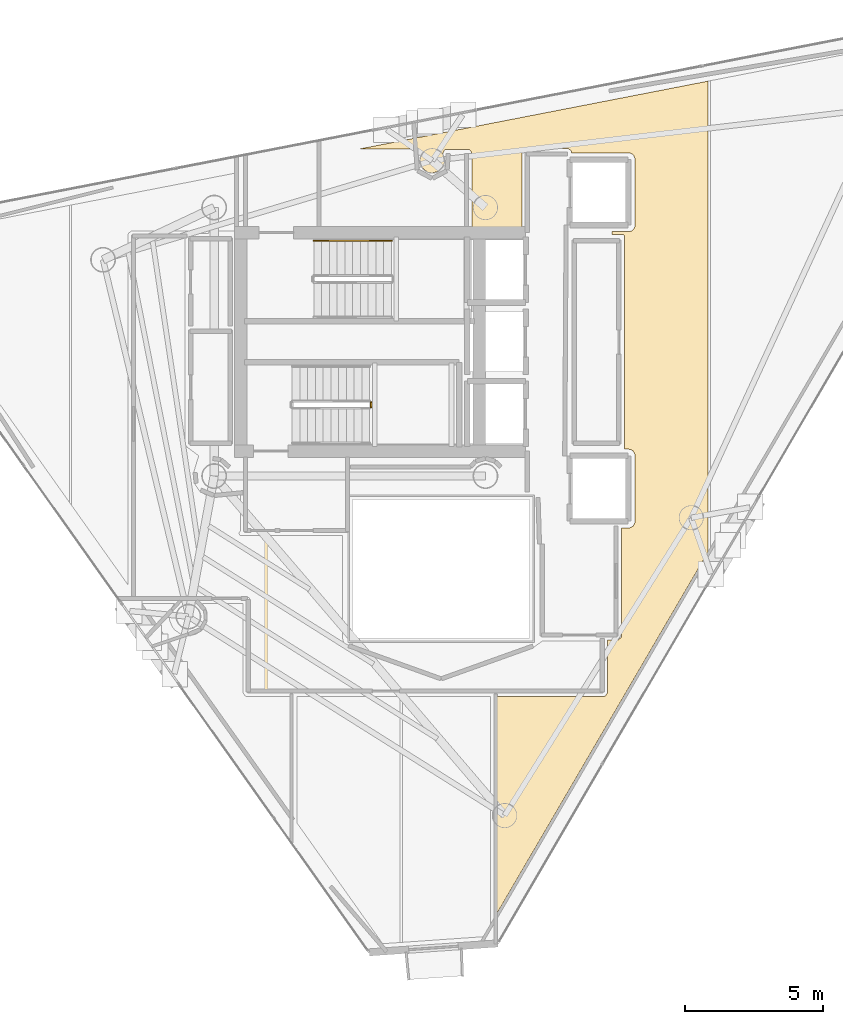
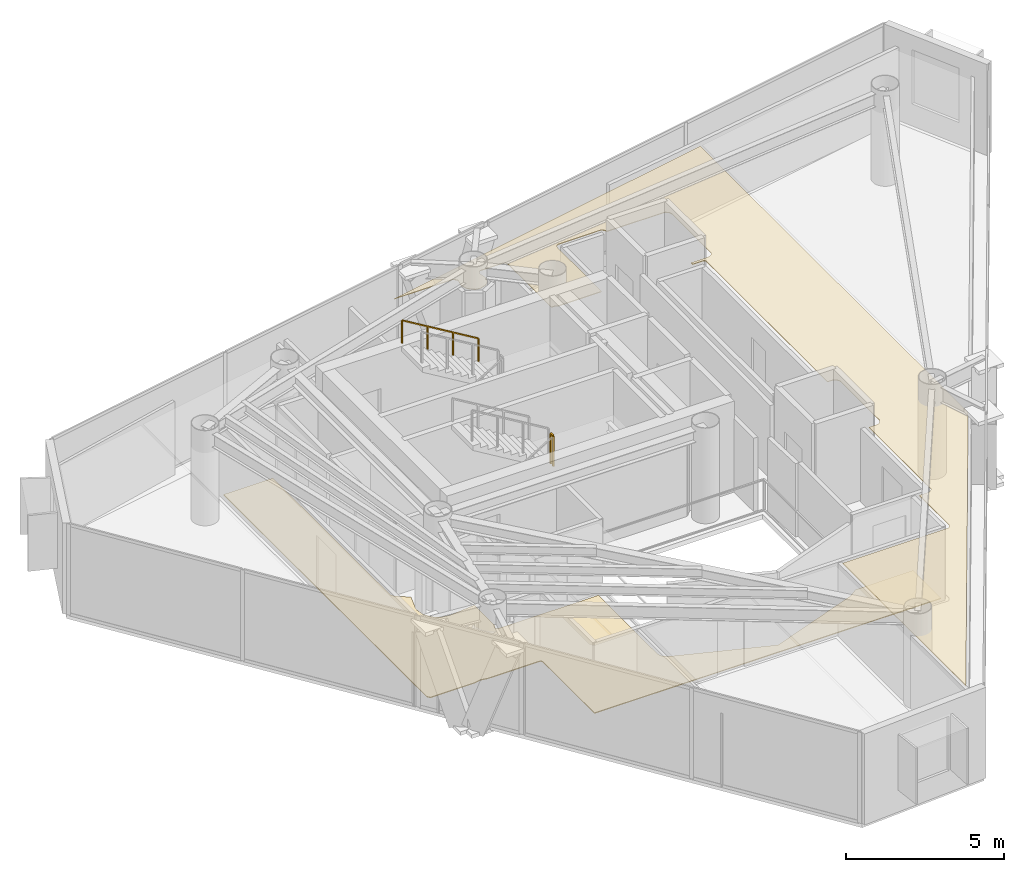
# One storey, part 21 of 22: 2 coverings, 2 railings.
"""IFC4 building model written with IfcOpenShell, lengths in metres."""

from ifc_helpers import new_model, si_unit, direction, frame, origin, origin_2d, place, context, subcontext, project, spatial, polyline, rectangle, outline, extrude, material, layer, layer_set, type_object, element, save


model = new_model("IFC4")

# Units and contexts
model_context = context("Model", 3, precision=1e-05, world=origin(), true_north=direction((0.0, 1.0)))
body_context = subcontext(model_context, "Body", "Model", "MODEL_VIEW")
ifc_project = project(units=[si_unit("LENGTHUNIT", "METRE"), si_unit("AREAUNIT", "SQUARE_METRE"), si_unit("VOLUMEUNIT", "CUBIC_METRE"), si_unit("PLANEANGLEUNIT", "RADIAN"), si_unit("MASSUNIT", "GRAM", prefix="KILO")], contexts=[model_context])

# Site, building, storey
site_placement = place(None, origin())
site = spatial("IfcSite", under=ifc_project, at=site_placement, CompositionType="ELEMENT")
building_placement = place(site_placement, origin())
building = spatial("IfcBuilding", under=site, at=building_placement, Name="Qianvela Tower", CompositionType="ELEMENT")
storey_placement = place(building_placement, frame((0.0, 0.0, 299.10009765625)))
storey = spatial("IfcBuildingStorey", under=building, at=storey_placement, Name="L77", CompositionType="ELEMENT", Elevation=299.10009765625)

# Coverings
ifc_material_1 = material(Name="Perforated Mineral Acoustic Ceiling Tile")
ifc_layer_1 = layer(ifc_material_1, 0.02490234375)
ifc_layer_set_1 = layer_set([ifc_layer_1], Name="Perforated Mineral Acoustic Ceiling Tile")
covering_type_1 = type_object("IfcCoveringType", Name="COV-CEIL-ACOUSTIC-25", PredefinedType="CEILING", material=ifc_layer_set_1)
covering_1_placement = place(storey_placement, frame((0.0, 0.0, 2.81494140625)))
element("IfcCovering", 1, at=covering_1_placement, inside=storey, type_object=covering_type_1, Name="L77 Acoustic Ceiling Bay 1 Project Huddle Conference L77-02", PredefinedType="CEILING", context=body_context, shape_type="SweptSolid", body=[
    extrude(outline(polyline([(43.59375, 32.6806640625), (43.6015625, 32.68115234375), (43.609375, 32.68212890625), (43.616943359375, 32.68408203125), (43.624267578125, 32.686767578125), (43.699462890625, 32.718017578125), (43.70703125, 32.721435546875), (43.71435546875, 32.72607421875), (43.72119140625, 32.731201171875), (43.727294921875, 32.737060546875), (43.732666015625, 32.74365234375), (43.7373046875, 32.750732421875), (43.785888671875, 32.83154296875), (43.7900390625, 32.839111328125), (43.793212890625, 32.84716796875), (43.79541015625, 32.85546875), (43.796875, 32.864013671875), (43.79736328125, 32.87255859375), (43.800048828125, 35.2998046875), (43.7998046875, 35.306884765625), (43.798828125, 35.313720703125), (43.79736328125, 35.3203125), (43.79541015625, 35.326904296875), (43.763427734375, 35.415771484375), (43.7607421875, 35.422607421875), (43.75732421875, 35.428955078125), (43.75341796875, 35.43505859375), (43.7490234375, 35.44091796875), (43.743896484375, 35.4462890625), (43.738525390625, 35.450927734375), (43.732666015625, 35.455322265625), (43.6650390625, 35.50048828125), (43.658447265625, 35.50439453125), (43.6513671875, 35.5078125), (43.64404296875, 35.510498046875), (43.636474609375, 35.512451171875), (43.628662109375, 35.513671875), (43.620849609375, 35.513916015625), (41.515625, 35.519775390625), (41.513916015625, 35.554931640625), (41.512939453125, 35.562744140625), (41.511474609375, 35.5703125), (41.509033203125, 35.577880859375), (41.506103515625, 35.585205078125), (41.50244140625, 35.591796875), (41.498046875, 35.598388671875), (41.4931640625, 35.6044921875), (41.487548828125, 35.60986328125), (41.481689453125, 35.614990234375), (41.41552734375, 35.663818359375), (41.409423828125, 35.66796875), (41.40283203125, 35.67138671875), (41.396240234375, 35.67431640625), (41.38916015625, 35.6767578125), (41.382080078125, 35.67822265625), (41.374755859375, 35.67919921875), (41.367431640625, 35.6796875), (39.841796875, 35.670654296875), (39.83349609375, 35.670166015625), (39.825439453125, 35.668701171875), (39.817626953125, 35.666748046875), (39.81005859375, 35.663818359375), (39.802490234375, 35.659912109375), (39.795654296875, 35.655517578125), (39.789306640625, 35.650390625), (39.783447265625, 35.644775390625), (39.7783203125, 35.638427734375), (39.773681640625, 35.631591796875), (39.7314453125, 35.56103515625), (39.727294921875, 35.553466796875), (39.72412109375, 35.54541015625), (39.721923828125, 35.537109375), (39.720458984375, 35.528564453125), (39.719970703125, 35.52001953125), (39.719970703125, 32.719970703125), (38.129150390625, 32.719970703125), (38.068115234375, 32.756103515625), (38.060791015625, 32.760009765625), (38.052978515625, 32.76318359375), (38.044921875, 32.765380859375), (38.03662109375, 32.766845703125), (38.0283203125, 32.767333984375), (37.907470703125, 32.768798828125), (37.909912109375, 35.5), (37.90966796875, 35.507080078125), (37.90869140625, 35.514404296875), (37.906982421875, 35.521240234375), (37.90478515625, 35.5283203125), (37.902099609375, 35.534912109375), (37.898681640625, 35.541015625), (37.856201171875, 35.61181640625), (37.852294921875, 35.617919921875), (37.847412109375, 35.623779296875), (37.842041015625, 35.629150390625), (37.83642578125, 35.634033203125), (37.830078125, 35.63818359375), (37.823486328125, 35.64208984375), (37.816650390625, 35.64501953125), (37.8095703125, 35.6474609375), (37.80224609375, 35.649169921875), (37.794921875, 35.650146484375), (37.787353515625, 35.650634765625), (36.9814453125, 35.64599609375), (36.973388671875, 35.6455078125), (36.9658203125, 35.644287109375), (36.9580078125, 35.642333984375), (36.950439453125, 35.6396484375), (36.943359375, 35.63623046875), (36.9365234375, 35.632080078125), (36.930419921875, 35.627197265625), (36.924560546875, 35.621826171875), (36.919189453125, 35.615966796875), (36.91455078125, 35.609375), (36.91064453125, 35.6025390625), (36.875732421875, 35.5341796875), (36.87255859375, 35.527099609375), (36.8701171875, 35.51953125), (36.8681640625, 35.511962890625), (36.8671875, 35.504150390625), (36.866943359375, 35.49609375), (36.86767578125, 35.48828125), (36.868896484375, 35.48046875), (36.92431640625, 35.23291015625), (36.91748046875, 35.163330078125), (36.84765625, 34.99462890625), (36.72705078125, 34.874267578125), (36.4755859375, 34.796142578125), (36.305419921875, 34.830078125), (36.10595703125, 34.995849609375), (36.029296875, 35.241943359375), (36.082275390625, 35.49755859375), (36.08349609375, 35.50537109375), (36.083740234375, 35.51318359375), (36.08349609375, 35.52099609375), (36.08251953125, 35.52880859375), (36.08056640625, 35.536376953125), (36.078125, 35.543701171875), (36.07470703125, 35.55078125), (36.07080078125, 35.5576171875), (36.06640625, 35.563720703125), (36.06103515625, 35.569580078125), (35.998291015625, 35.63427734375), (35.992431640625, 35.6396484375), (35.986083984375, 35.64453125), (35.979248046875, 35.648681640625), (35.971923828125, 35.652099609375), (35.964599609375, 35.65478515625), (35.956787109375, 35.65673828125), (35.948974609375, 35.657958984375), (35.94091796875, 35.658447265625), (33.815185546875, 35.65966796875), (46.444091796875, 38.115966796875), (46.444091796875, 21.117919921875), (38.822021484375, 8.0673828125), (38.822021484375, 15.89013671875), (42.6806640625, 15.89599609375), (42.688720703125, 15.896484375), (42.6962890625, 15.897705078125), (42.703857421875, 15.899658203125), (42.711181640625, 15.902099609375), (42.718505859375, 15.905517578125), (42.72509765625, 15.90966796875), (42.7314453125, 15.914306640625), (42.7373046875, 15.91943359375), (42.742431640625, 15.92529296875), (42.7470703125, 15.931640625), (42.79638671875, 16.005615234375), (42.800537109375, 16.01220703125), (42.803955078125, 16.019287109375), (42.806640625, 16.02685546875), (42.80859375, 16.034423828125), (42.8095703125, 16.042236328125), (42.81005859375, 16.050048828125), (42.8076171875, 17.920166015625), (43.157958984375, 17.92041015625), (43.166259765625, 17.9208984375), (43.174560546875, 17.922119140625), (43.1826171875, 17.92431640625), (43.1904296875, 17.927490234375), (43.197998046875, 17.93115234375), (43.205078125, 17.935791015625), (43.211669921875, 17.941162109375), (43.2822265625, 18.005126953125), (43.2880859375, 18.010986328125), (43.293212890625, 18.017578125), (43.2978515625, 18.0244140625), (43.301513671875, 18.031982421875), (43.3046875, 18.039794921875), (43.306640625, 18.0478515625), (43.30810546875, 18.055908203125), (43.30859375, 18.064453125), (43.309326171875, 21.980712890625), (43.60791015625, 21.982666015625), (43.615478515625, 21.983154296875), (43.623291015625, 21.984375), (43.630859375, 21.986083984375), (43.637939453125, 21.98876953125), (43.64501953125, 21.9921875), (43.716796875, 22.030517578125), (43.723388671875, 22.034423828125), (43.729736328125, 22.039306640625), (43.735595703125, 22.04443359375), (43.74072265625, 22.05029296875), (43.74560546875, 22.056640625), (43.74951171875, 22.063232421875), (43.787841796875, 22.135009765625), (43.791259765625, 22.14208984375), (43.7939453125, 22.1494140625), (43.7958984375, 22.156982421875), (43.796875, 22.164794921875), (43.79736328125, 22.1728515625), (43.7939453125, 24.640625), (43.79345703125, 24.649169921875), (43.792236328125, 24.65771484375), (43.789794921875, 24.665771484375), (43.786865234375, 24.673583984375), (43.782958984375, 24.68115234375), (43.7783203125, 24.688232421875), (43.721923828125, 24.76416015625), (43.71728515625, 24.769775390625), (43.71240234375, 24.77490234375), (43.706787109375, 24.779541015625), (43.70068359375, 24.78369140625), (43.694580078125, 24.78759765625), (43.68798828125, 24.79052734375), (43.680908203125, 24.79296875), (43.603271484375, 24.816650390625), (43.595703125, 24.818603515625), (43.587890625, 24.819580078125), (43.580078125, 24.820068359375), (43.424072265625, 24.820068359375), (43.426513671875, 24.826904296875), (43.428466796875, 24.83447265625), (43.4296875, 24.84228515625), (43.429931640625, 24.85009765625), (43.429931640625, 32.5), (43.4296875, 32.5078125), (43.428466796875, 32.515625), (43.426513671875, 32.523193359375), (43.423828125, 32.530517578125), (43.420654296875, 32.53759765625), (43.41650390625, 32.54443359375), (43.411865234375, 32.55078125), (43.406494140625, 32.556640625), (43.40087890625, 32.561767578125), (43.394287109375, 32.56640625), (43.3876953125, 32.570556640625), (43.380615234375, 32.573974609375), (43.373291015625, 32.57666015625), (43.365478515625, 32.57861328125), (43.35791015625, 32.57958984375), (43.35009765625, 32.580078125), (42.97607421875, 32.580078125), (42.97607421875, 32.68017578125), (43.59375, 32.6806640625)])), origin(), (0.0, 0.0, 1.0), 0.02490234375),
])
ifc_material_2 = material(Name="Honed Stone Terrazzo Flooring", Category="masonry")
ifc_layer_2 = layer(ifc_material_2, 0.030029296875)
ifc_layer_set_2 = layer_set([ifc_layer_2], Name="Honed Stone Terrazzo Flooring")
covering_type_2 = type_object("IfcCoveringType", Name="COV-FLOOR-TERRAZZO-30", PredefinedType="FLOORING", material=ifc_layer_set_2)
covering_2_placement = place(storey_placement, origin())
element("IfcCovering", 2, at=covering_2_placement, inside=storey, type_object=covering_type_2, Name="L77 Finish Flooring L77 Floor Corridor", PredefinedType="FLOORING", context=body_context, shape_type="SweptSolid", body=[
    extrude(outline(polyline([(25.72998046875, 32.469970703125), (27.5400390625, 32.469970703125), (27.5400390625, 25.04638671875), (27.540283203125, 25.038818359375), (27.54150390625, 25.03125), (27.543212890625, 25.023681640625), (27.545654296875, 25.0166015625), (27.548828125, 25.009765625), (27.552734375, 25.003173828125), (27.61328125, 24.90869140625), (27.61767578125, 24.90283203125), (27.622314453125, 24.8974609375), (27.62744140625, 24.892333984375), (27.633056640625, 24.8876953125), (28.042236328125, 24.584228515625), (27.8662109375, 24.00390625), (27.864501953125, 23.996337890625), (27.86328125, 23.988525390625), (27.850341796875, 23.85791015625), (27.85009765625, 23.85009765625), (27.850341796875, 23.84228515625), (27.8515625, 23.83447265625), (27.902587890625, 23.577880859375), (27.904296875, 23.5703125), (27.906982421875, 23.56298828125), (27.910400390625, 23.555908203125), (27.91455078125, 23.54931640625), (28.059814453125, 23.331787109375), (28.064453125, 23.325439453125), (28.069580078125, 23.319580078125), (28.075439453125, 23.314453125), (28.081787109375, 23.309814453125), (28.29931640625, 23.16455078125), (28.305908203125, 23.160400390625), (28.31298828125, 23.156982421875), (28.3203125, 23.154296875), (28.327880859375, 23.152587890625), (28.58447265625, 23.1015625), (28.59228515625, 23.100341796875), (28.60009765625, 23.10009765625), (28.60791015625, 23.100341796875), (29.55810546875, 23.194091796875), (29.55810546875, 21.877685546875), (29.52001953125, 21.82958984375), (29.515380859375, 21.822998046875), (29.51171875, 21.81640625), (29.508544921875, 21.809326171875), (29.506103515625, 21.802001953125), (29.504150390625, 21.794189453125), (29.503173828125, 21.78662109375), (29.5029296875, 21.77880859375), (29.50341796875, 21.77099609375), (29.504638671875, 21.763427734375), (29.506591796875, 21.755859375), (29.50927734375, 21.74853515625), (29.5126953125, 21.74169921875), (29.516845703125, 21.735107421875), (29.521484375, 21.728759765625), (29.52685546875, 21.722900390625), (29.53271484375, 21.7177734375), (29.538818359375, 21.713134765625), (29.54541015625, 21.709228515625), (29.552490234375, 21.7060546875), (29.559814453125, 21.703369140625), (29.5673828125, 21.701416015625), (29.5751953125, 21.700439453125), (29.5830078125, 21.699951171875), (33.239990234375, 21.699951171875), (33.239990234375, 18.0), (33.240478515625, 17.990234375), (33.242431640625, 17.980712890625), (33.275390625, 17.8486328125), (33.277587890625, 17.841796875), (33.2802734375, 17.8349609375), (33.283447265625, 17.82861328125), (33.287353515625, 17.822509765625), (33.29150390625, 17.81689453125), (33.29638671875, 17.811279296875), (33.411376953125, 17.696533203125), (33.41796875, 17.690673828125), (33.42529296875, 17.685546875), (33.432861328125, 17.68115234375), (33.44091796875, 17.677734375), (36.77294921875, 16.482666015625), (36.780517578125, 16.48046875), (36.7880859375, 16.47900390625), (36.7958984375, 16.47802734375), (36.803955078125, 16.47802734375), (36.811767578125, 16.47900390625), (36.8193359375, 16.48046875), (36.826904296875, 16.482666015625), (40.134033203125, 17.666015625), (40.140869140625, 17.668701171875), (40.1474609375, 17.672119140625), (40.153564453125, 17.676025390625), (40.458740234375, 17.89306640625), (42.570068359375, 17.899658203125), (42.570068359375, 16.1298828125), (29.8798828125, 16.1298828125), (29.8798828125, 19.39990234375), (29.879638671875, 19.40771484375), (29.87841796875, 19.41552734375), (29.876708984375, 19.423095703125), (29.873779296875, 19.4306640625), (29.87060546875, 19.437744140625), (29.866455078125, 19.4443359375), (29.86181640625, 19.45068359375), (29.856689453125, 19.45654296875), (29.850830078125, 19.4619140625), (29.844482421875, 19.466552734375), (29.837646484375, 19.470703125), (29.83056640625, 19.473876953125), (29.8232421875, 19.4765625), (29.815673828125, 19.478515625), (29.807861328125, 19.4794921875), (29.800048828125, 19.47998046875), (27.910888671875, 19.47998046875), (27.684814453125, 19.522705078125), (27.677490234375, 19.523681640625), (27.669921875, 19.52392578125), (27.66259765625, 19.523681640625), (27.6552734375, 19.522705078125), (27.42919921875, 19.47998046875), (25.80078125, 19.47998046875), (25.72998046875, 19.579833984375), (25.72998046875, 32.469970703125)])), origin(), (0.0, 0.0, 1.0), 0.02978515625),
])

# Railings
ifc_material_3 = material(Name="Painted Tubular Steel Q355B", Category="steel")
railing_type_1 = type_object("IfcRailingType", Name="RL-STAIR-GUARD-1200", PredefinedType="GUARDRAIL", material=ifc_material_3)
railing_1_placement = place(storey_placement, frame((34.27001953125, 26.35009765625, 1.849853515625)))
element("IfcRailing", 3, at=railing_1_placement, inside=storey, type_object=railing_type_1, Name="L77 ST-2 stair guard 2", PredefinedType="GUARDRAIL", context=body_context, shape_type="SweptSolid", body=[
    extrude(rectangle(XDim=0.050048828125, YDim=0.0400390625, at=origin_2d()), frame((0.0, 0.0, 1.179931640625), z_axis=(0.0, 1.0, 0.0), x_axis=(-1.0, 0.0, 0.0)), (0.0, 0.0, 1.0), 0.159912109375),
    extrude(rectangle(XDim=0.050048828125, YDim=0.050048828125, at=origin_2d()), origin(), (0.0, 0.0, 1.0), 1.159912109375),
    extrude(rectangle(XDim=0.050048828125, YDim=0.050048828125, at=origin_2d()), frame((0.0, 0.159912109375, 0.0)), (0.0, 0.0, 1.0), 1.159912109375),
])
ifc_material_4 = material(Name="Brushed Stainless Steel 304", Category="steel")
railing_type_2 = type_object("IfcRailingType", Name="RL-STAIR-HANDRAIL-900", PredefinedType="HANDRAIL", material=ifc_material_4)
railing_2_placement = place(storey_placement, frame((35.0, 32.35009765625, 2.01806640625)))
element("IfcRailing", 4, at=railing_2_placement, inside=storey, type_object=railing_type_2, Name="L77 ST-1 stair handrail 2", PredefinedType="HANDRAIL", context=body_context, shape_type="SweptSolid", body=[
    extrude(rectangle(XDim=0.050048828125, YDim=0.0400390625, at=origin_2d()), frame((0.0, 0.0, 0.8798828125), z_axis=(-0.857242210791, 0.0, 0.514913383045), x_axis=(0.0, -1.0, 0.0)), (0.0, 0.0, 1.0), 3.266357421875),
    extrude(rectangle(XDim=0.050048828125, YDim=0.050048828125, at=origin_2d()), origin(), (0.0, 0.0, 1.0), 0.85986328125),
    extrude(rectangle(XDim=0.050048828125, YDim=0.050048828125, at=origin_2d()), frame((-0.933349609375, 0.0, 0.560546875)), (0.0, 0.0, 1.0), 0.85986328125),
    extrude(rectangle(XDim=0.050048828125, YDim=0.050048828125, at=origin_2d()), frame((-1.86669921875, 0.0, 1.121337890625)), (0.0, 0.0, 1.0), 0.85986328125),
    extrude(rectangle(XDim=0.050048828125, YDim=0.050048828125, at=origin_2d()), frame((-2.800048828125, 0.0, 1.681884765625)), (0.0, 0.0, 1.0), 0.85986328125),
])

save(model, "model.ifc")
